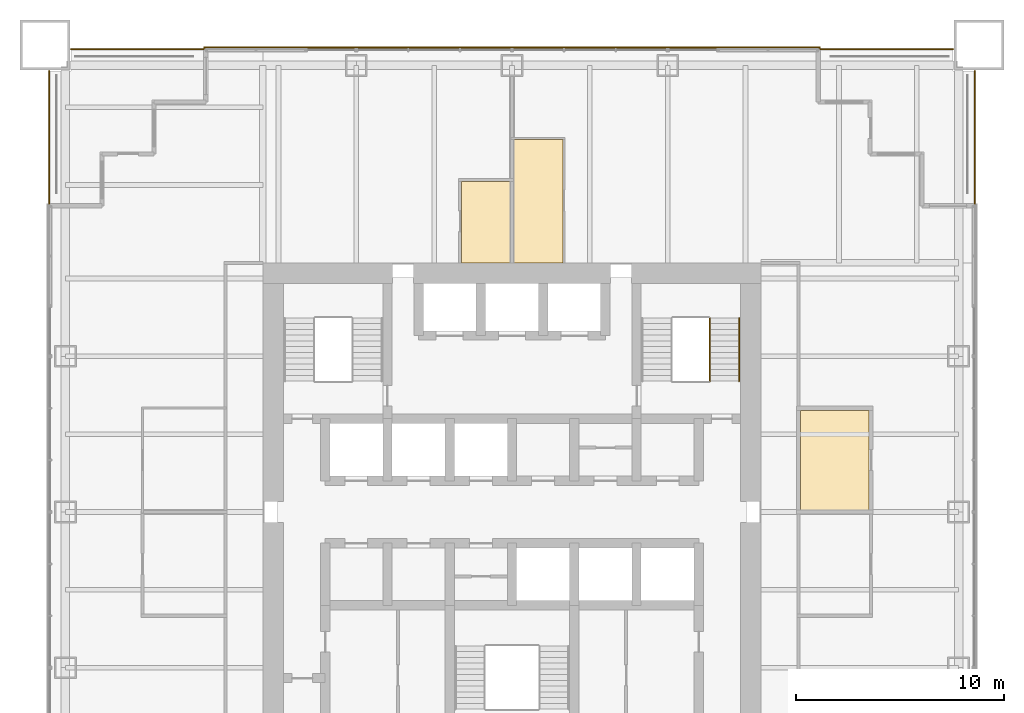
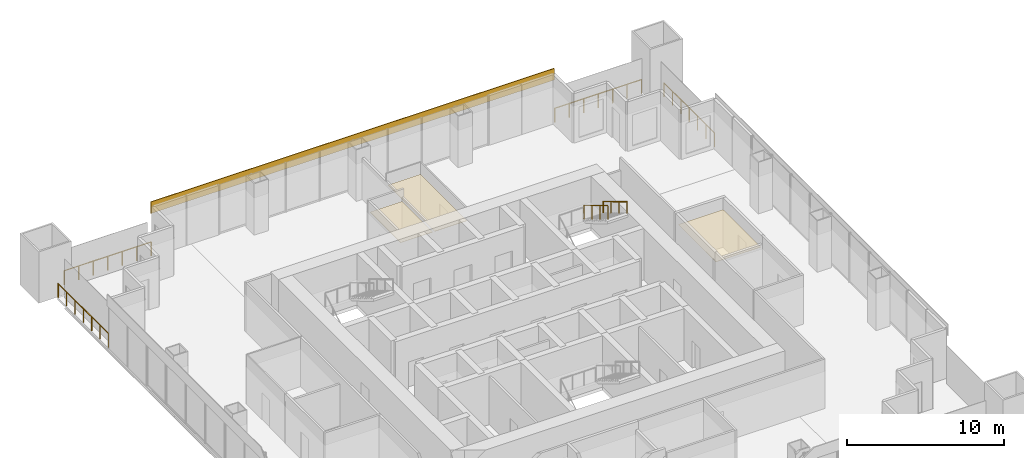
# One storey, part 13 of 13: 6 railings, 4 coverings.
"""IFC4 building model written with IfcOpenShell, lengths in metres."""

from ifc_helpers import new_model, si_unit, direction, frame, origin, origin_2d, place, context, subcontext, project, spatial, polyline, rectangle, circle, outline, extrude, material, layer, layer_set, type_object, element, save


model = new_model("IFC4")

# Units and contexts
model_context = context("Model", 3, precision=1e-05, world=origin(), true_north=direction((0.0, 1.0)))
body_context = subcontext(model_context, "Body", "Model", "MODEL_VIEW")
ifc_project = project(units=[si_unit("LENGTHUNIT", "METRE"), si_unit("AREAUNIT", "SQUARE_METRE"), si_unit("VOLUMEUNIT", "CUBIC_METRE"), si_unit("PLANEANGLEUNIT", "RADIAN"), si_unit("MASSUNIT", "GRAM", prefix="KILO")], contexts=[model_context])

# Site, building, storey
site_placement = place(None, origin())
site = spatial("IfcSite", under=ifc_project, at=site_placement, CompositionType="ELEMENT")
building_placement = place(site_placement, origin())
building = spatial("IfcBuilding", under=site, at=building_placement, Name="Tarangal Relay Tower", CompositionType="ELEMENT")
storey_placement = place(building_placement, frame((0.0, 0.0, 221.89990234375)))
storey = spatial("IfcBuildingStorey", under=building, at=storey_placement, Name="L47", CompositionType="ELEMENT", Elevation=221.89990234375)

# Covering
ifc_material_1 = material(Name="Black anodised aluminium cladding", Category="aluminium")
ifc_layer_1 = layer(ifc_material_1, 0.050048828125)
ifc_layer_set_1 = layer_set([ifc_layer_1], Name="Black metal spandrel band")
covering_type_1 = type_object("IfcCoveringType", Name="Black metal spandrel band", PredefinedType="CLADDING", material=ifc_layer_set_1)
covering_1_placement = place(storey_placement, frame((0.0, 22.375, 3.250244140625), z_axis=(0.0, 0.0, 1.0), x_axis=(1.0, 0.0, 0.0)))
element("IfcCovering", 1, at=covering_1_placement, inside=storey, type_object=covering_type_1, Name="Spandrel band SB1 N L47", PredefinedType="CLADDING", context=body_context, shape_type="SweptSolid", body=[
    extrude(rectangle(XDim=29.699951171875, YDim=0.050048828125, at=origin_2d()), origin(), (0.0, 0.0, 1.0), 0.89990234375),
])

# Railings
ifc_material_2 = material(Name="Steel guard, black finish", Category="steel")
railing_type_1 = type_object("IfcRailingType", Name="Stair guard 1100", PredefinedType="GUARDRAIL", material=ifc_material_2)
railing_1_placement = place(storey_placement, frame((9.530029296875, 9.346923828125, 2.166748046875)))
element("IfcRailing", 2, at=railing_1_placement, inside=storey, type_object=railing_type_1, Name="Stair ST-B guard GR1 L47 flight 2", PredefinedType="GUARDRAIL", context=body_context, shape_type="SweptSolid", body=[
    extrude(circle(Radius=0.02392578125, at=origin_2d()), frame((0.0, 0.0, 1.076171875), z_axis=(0.0, -0.85685617095, 0.515555527858), x_axis=(1.0, 0.0, 0.0)), (0.0, 0.0, 1.0), 3.555908203125),
    extrude(circle(Radius=0.02099609375, at=origin_2d()), origin(), (0.0, 0.0, 1.0), 1.052001953125),
    extrude(circle(Radius=0.02099609375, at=origin_2d()), frame((0.0, -1.015625, 0.611083984375)), (0.0, 0.0, 1.0), 1.052001953125),
    extrude(circle(Radius=0.02099609375, at=origin_2d()), frame((0.0, -2.03125, 1.22216796875)), (0.0, 0.0, 1.0), 1.052001953125),
    extrude(circle(Radius=0.02099609375, at=origin_2d()), frame((0.0, -3.046875, 1.833251953125)), (0.0, 0.0, 1.0), 1.052001953125),
])
ifc_material_3 = material(Name="Steel handrail, black finish", Category="steel")
railing_type_2 = type_object("IfcRailingType", Name="Stair handrail 900", PredefinedType="HANDRAIL", material=ifc_material_3)
railing_2_placement = place(storey_placement, frame((10.93994140625, 9.346923828125, 2.166748046875)))
element("IfcRailing", 3, at=railing_2_placement, inside=storey, type_object=railing_type_2, Name="Stair ST-B handrail HR1 L47 flight 2", PredefinedType="HANDRAIL", context=body_context, shape_type="SweptSolid", body=[
    extrude(circle(Radius=0.02392578125, at=origin_2d()), frame((0.0, 0.0, 0.8759765625), z_axis=(0.0, -0.85685617095, 0.515555527858), x_axis=(1.0, 0.0, 0.0)), (0.0, 0.0, 1.0), 3.555908203125),
    extrude(circle(Radius=0.02099609375, at=origin_2d()), origin(), (0.0, 0.0, 1.0), 0.851806640625),
    extrude(circle(Radius=0.02099609375, at=origin_2d()), frame((0.0, -1.015625, 0.611083984375)), (0.0, 0.0, 1.0), 0.851806640625),
    extrude(circle(Radius=0.02099609375, at=origin_2d()), frame((0.0, -2.03125, 1.22216796875)), (0.0, 0.0, 1.0), 0.851806640625),
    extrude(circle(Radius=0.02099609375, at=origin_2d()), frame((0.0, -3.046875, 1.833251953125)), (0.0, 0.0, 1.0), 0.851806640625),
])

# Coverings
ifc_material_4 = material(Name="Mineral fibre ceiling tiles", Category="gypsum")
ifc_layer_2 = layer(ifc_material_4, 0.02001953125)
ifc_layer_set_2 = layer_set([ifc_layer_2], Name="Suspended ceiling")
covering_type_2 = type_object("IfcCoveringType", Name="Suspended ceiling", PredefinedType="CEILING", material=ifc_layer_set_2)
covering_2_placement = place(storey_placement, frame((0.0, 0.0, 2.900146484375)))
element("IfcCovering", 4, at=covering_2_placement, inside=storey, type_object=covering_type_2, Name="Suspended ceiling CL1 L47-02", PredefinedType="CEILING", context=body_context, shape_type="SweptSolid", body=[
    extrude(outline(polyline([(-0.074951171875, 12.0), (-0.074951171875, 15.925048828125), (-2.425048828125, 15.925048828125), (-2.425048828125, 12.0), (-0.074951171875, 12.0)])), origin(), (0.0, 0.0, 1.0), 0.02001953125),
])
covering_3_placement = place(storey_placement, frame((0.0, 0.0, 2.900146484375)))
element("IfcCovering", 5, at=covering_3_placement, inside=storey, type_object=covering_type_2, Name="Suspended ceiling CL1 L47-03", PredefinedType="CEILING", context=body_context, shape_type="SweptSolid", body=[
    extrude(outline(polyline([(2.449951171875, 12.0), (2.449951171875, 17.949951171875), (0.074951171875, 17.949951171875), (0.074951171875, 12.0), (2.449951171875, 12.0)])), origin(), (0.0, 0.0, 1.0), 0.02001953125),
])
covering_4_placement = place(storey_placement, frame((0.0, 0.0, 2.900146484375)))
element("IfcCovering", 6, at=covering_4_placement, inside=storey, type_object=covering_type_2, Name="Suspended ceiling CL1 L47-04", PredefinedType="CEILING", context=body_context, shape_type="SweptSolid", body=[
    extrude(outline(polyline([(13.89990234375, 4.89990234375), (13.89990234375, 0.10009765625), (17.199951171875, 0.10009765625), (17.199951171875, 4.89990234375), (13.89990234375, 4.89990234375)])), origin(), (0.0, 0.0, 1.0), 0.02001953125),
])

# Railings
ifc_material_5 = material(Name="Black steel guard with glass infill", Category="steel")
railing_type_3 = type_object("IfcRailingType", Name="Terrace guard 1100", PredefinedType="GUARDRAIL", material=ifc_material_5)
railing_3_placement = place(storey_placement, frame((14.85009765625, 22.300048828125, 0.0)))
element("IfcRailing", 7, at=railing_3_placement, inside=storey, type_object=railing_type_3, Name="Terrace guard GR2 NE L47", PredefinedType="GUARDRAIL", context=body_context, shape_type="SweptSolid", body=[
    extrude(circle(Radius=0.02392578125, at=origin_2d()), frame((0.0, 0.0, 1.076171875), z_axis=(1.0, 0.0, 0.0), x_axis=(0.0, 1.0, 0.0)), (0.0, 0.0, 1.0), 6.39990234375),
    extrude(circle(Radius=0.02099609375, at=origin_2d()), origin(), (0.0, 0.0, 1.0), 1.052001953125),
    extrude(circle(Radius=0.02099609375, at=origin_2d()), frame((1.066650390625, 0.0, 0.0)), (0.0, 0.0, 1.0), 1.052001953125),
    extrude(circle(Radius=0.02099609375, at=origin_2d()), frame((2.13330078125, 0.0, 0.0)), (0.0, 0.0, 1.0), 1.052001953125),
    extrude(circle(Radius=0.02099609375, at=origin_2d()), frame((3.199951171875, 0.0, 0.0)), (0.0, 0.0, 1.0), 1.052001953125),
    extrude(circle(Radius=0.02099609375, at=origin_2d()), frame((4.2666015625, 0.0, 0.0)), (0.0, 0.0, 1.0), 1.052001953125),
    extrude(circle(Radius=0.02099609375, at=origin_2d()), frame((5.333251953125, 0.0, 0.0)), (0.0, 0.0, 1.0), 1.052001953125),
    extrude(circle(Radius=0.02099609375, at=origin_2d()), frame((6.39990234375, 0.0, 0.0)), (0.0, 0.0, 1.0), 1.052001953125),
])
railing_4_placement = place(storey_placement, frame((22.300048828125, 21.25, 0.0)))
element("IfcRailing", 8, at=railing_4_placement, inside=storey, type_object=railing_type_3, Name="Terrace guard GR2 NE L47", PredefinedType="GUARDRAIL", context=body_context, shape_type="SweptSolid", body=[
    extrude(circle(Radius=0.02392578125, at=origin_2d()), frame((0.0, 0.0, 1.076171875), z_axis=(0.0, -1.0, 0.0), x_axis=(1.0, 0.0, 0.0)), (0.0, 0.0, 1.0), 6.39990234375),
    extrude(circle(Radius=0.02099609375, at=origin_2d()), origin(), (0.0, 0.0, 1.0), 1.052001953125),
    extrude(circle(Radius=0.02099609375, at=origin_2d()), frame((0.0, -1.066650390625, 0.0)), (0.0, 0.0, 1.0), 1.052001953125),
    extrude(circle(Radius=0.02099609375, at=origin_2d()), frame((0.0, -2.13330078125, 0.0)), (0.0, 0.0, 1.0), 1.052001953125),
    extrude(circle(Radius=0.02099609375, at=origin_2d()), frame((0.0, -3.199951171875, 0.0)), (0.0, 0.0, 1.0), 1.052001953125),
    extrude(circle(Radius=0.02099609375, at=origin_2d()), frame((0.0, -4.2666015625, 0.0)), (0.0, 0.0, 1.0), 1.052001953125),
    extrude(circle(Radius=0.02099609375, at=origin_2d()), frame((0.0, -5.333251953125, 0.0)), (0.0, 0.0, 1.0), 1.052001953125),
    extrude(circle(Radius=0.02099609375, at=origin_2d()), frame((0.0, -6.39990234375, 0.0)), (0.0, 0.0, 1.0), 1.052001953125),
])
railing_5_placement = place(storey_placement, frame((-22.300048828125, 14.85009765625, 0.0)))
element("IfcRailing", 9, at=railing_5_placement, inside=storey, type_object=railing_type_3, Name="Terrace guard GR2 NW L47", PredefinedType="GUARDRAIL", context=body_context, shape_type="SweptSolid", body=[
    extrude(circle(Radius=0.02392578125, at=origin_2d()), frame((0.0, 0.0, 1.076171875), z_axis=(0.0, 1.0, 0.0), x_axis=(-1.0, 0.0, 0.0)), (0.0, 0.0, 1.0), 6.39990234375),
    extrude(circle(Radius=0.02099609375, at=origin_2d()), origin(), (0.0, 0.0, 1.0), 1.052001953125),
    extrude(circle(Radius=0.02099609375, at=origin_2d()), frame((0.0, 1.066650390625, 0.0)), (0.0, 0.0, 1.0), 1.052001953125),
    extrude(circle(Radius=0.02099609375, at=origin_2d()), frame((0.0, 2.13330078125, 0.0)), (0.0, 0.0, 1.0), 1.052001953125),
    extrude(circle(Radius=0.02099609375, at=origin_2d()), frame((0.0, 3.199951171875, 0.0)), (0.0, 0.0, 1.0), 1.052001953125),
    extrude(circle(Radius=0.02099609375, at=origin_2d()), frame((0.0, 4.2666015625, 0.0)), (0.0, 0.0, 1.0), 1.052001953125),
    extrude(circle(Radius=0.02099609375, at=origin_2d()), frame((0.0, 5.333251953125, 0.0)), (0.0, 0.0, 1.0), 1.052001953125),
    extrude(circle(Radius=0.02099609375, at=origin_2d()), frame((0.0, 6.39990234375, 0.0)), (0.0, 0.0, 1.0), 1.052001953125),
])
railing_6_placement = place(storey_placement, frame((-21.25, 22.300048828125, 0.0)))
element("IfcRailing", 10, at=railing_6_placement, inside=storey, type_object=railing_type_3, Name="Terrace guard GR2 NW L47", PredefinedType="GUARDRAIL", context=body_context, shape_type="SweptSolid", body=[
    extrude(circle(Radius=0.02392578125, at=origin_2d()), frame((0.0, 0.0, 1.076171875), z_axis=(1.0, 0.0, 0.0), x_axis=(0.0, 1.0, 0.0)), (0.0, 0.0, 1.0), 6.39990234375),
    extrude(circle(Radius=0.02099609375, at=origin_2d()), origin(), (0.0, 0.0, 1.0), 1.052001953125),
    extrude(circle(Radius=0.02099609375, at=origin_2d()), frame((1.066650390625, 0.0, 0.0)), (0.0, 0.0, 1.0), 1.052001953125),
    extrude(circle(Radius=0.02099609375, at=origin_2d()), frame((2.13330078125, 0.0, 0.0)), (0.0, 0.0, 1.0), 1.052001953125),
    extrude(circle(Radius=0.02099609375, at=origin_2d()), frame((3.199951171875, 0.0, 0.0)), (0.0, 0.0, 1.0), 1.052001953125),
    extrude(circle(Radius=0.02099609375, at=origin_2d()), frame((4.2666015625, 0.0, 0.0)), (0.0, 0.0, 1.0), 1.052001953125),
    extrude(circle(Radius=0.02099609375, at=origin_2d()), frame((5.333251953125, 0.0, 0.0)), (0.0, 0.0, 1.0), 1.052001953125),
    extrude(circle(Radius=0.02099609375, at=origin_2d()), frame((6.39990234375, 0.0, 0.0)), (0.0, 0.0, 1.0), 1.052001953125),
])

save(model, "model.ifc")
